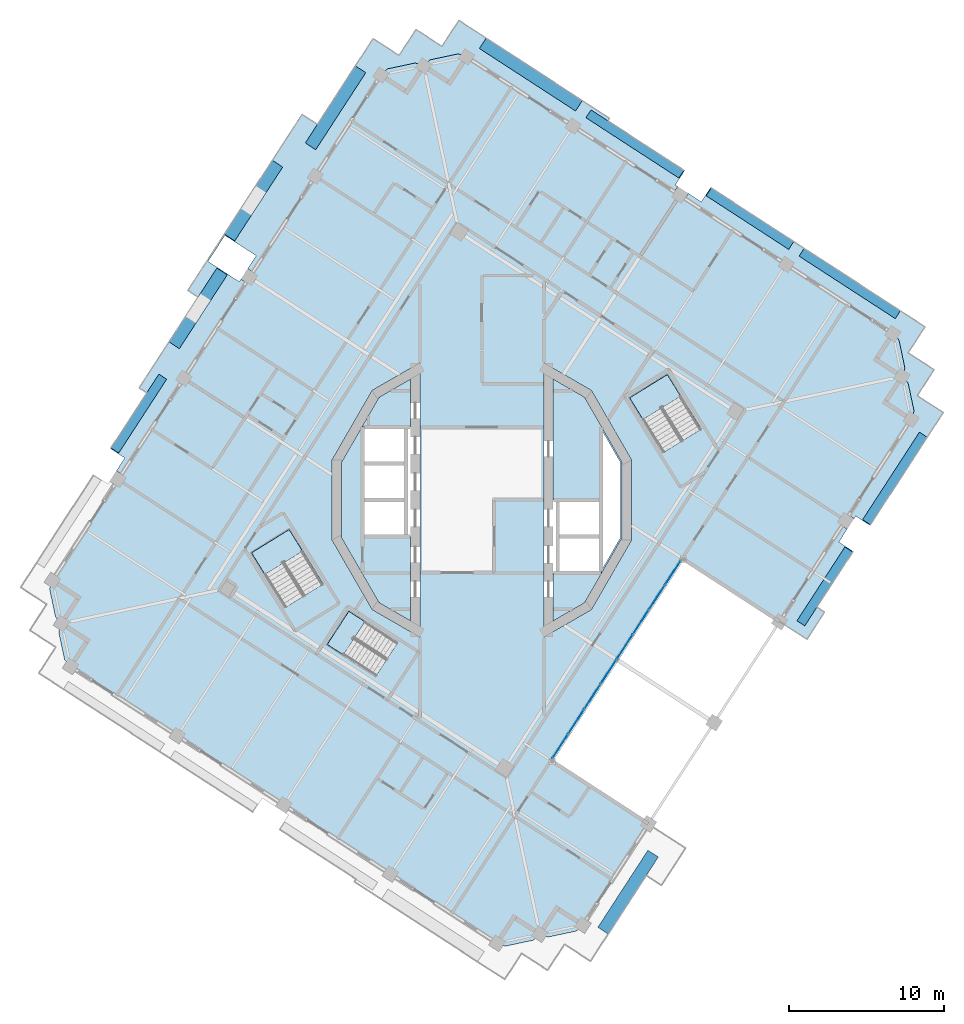
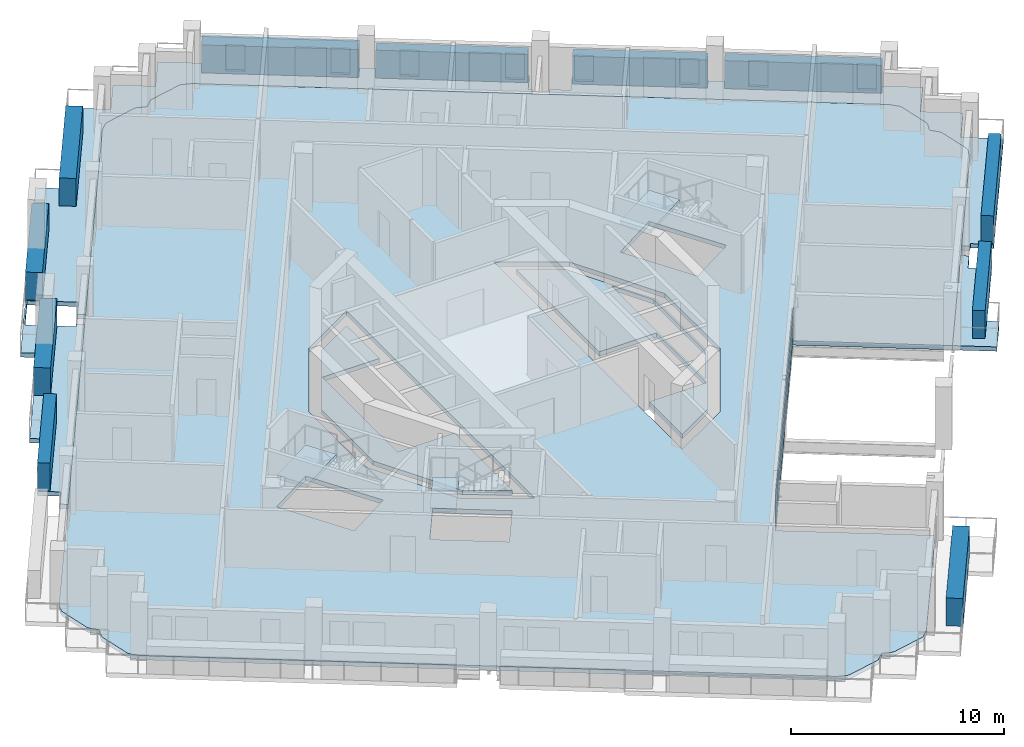
# One storey, part 4 of 17: 27 plates, 9 slabs, 4 elements without a shape of their own.
"""IFC4 building model written with IfcOpenShell, lengths in metres."""

from ifc_helpers import new_model, si_unit, direction, frame, origin, origin_2d, place, context, subcontext, project, spatial, polyline, rectangle, outline, extrude, material, layer, layer_set, type_object, element, aggregate, save


model = new_model("IFC4")

# Units and contexts
model_context = context("Model", 3, precision=1e-05, world=origin(), true_north=direction((0.0, 1.0)))
body_context = subcontext(model_context, "Body", "Model", "MODEL_VIEW")
ifc_project = project(units=[si_unit("LENGTHUNIT", "METRE"), si_unit("AREAUNIT", "SQUARE_METRE"), si_unit("VOLUMEUNIT", "CUBIC_METRE"), si_unit("PLANEANGLEUNIT", "RADIAN"), si_unit("MASSUNIT", "GRAM", prefix="KILO")], contexts=[model_context])

# Site, building, storey
site_placement = place(None, origin())
site = spatial("IfcSite", under=ifc_project, at=site_placement, CompositionType="ELEMENT")
building_placement = place(site_placement, origin())
building = spatial("IfcBuilding", under=site, at=building_placement, Name="Cantera Rosa Tower", CompositionType="ELEMENT")
storey_placement = place(building_placement, frame((0.0, 0.0, 254.10009765625)))
storey = spatial("IfcBuildingStorey", under=building, at=storey_placement, Name="L56", CompositionType="ELEMENT", Elevation=254.10009765625)

# Slabs
ifc_material_1 = material(Name="Concrete C35/45", Category="concrete")
ifc_layer_1 = layer(ifc_material_1, 0.25)
ifc_layer_set_1 = layer_set([ifc_layer_1], Name="COMPOSITE FLOOR SLAB 250 C35/45")
slab_type_1 = type_object("IfcSlabType", Name="COMPOSITE FLOOR SLAB 250 C35/45", PredefinedType="FLOOR", material=ifc_layer_set_1)
slab_1_placement = place(storey_placement, frame((0.0, 0.0, -0.25)))
element("IfcSlab", 1, at=slab_1_placement, inside=storey, type_object=slab_type_1, Name="SLAB L56 floor 1", PredefinedType="FLOOR", context=body_context, shape_type="SweptSolid", body=[
    extrude(outline(polyline([(-4.60009765625, -2.35009765625), (-4.60009765625, -7.804931640625), (-6.6318359375, -6.6318359375), (-9.059326171875, -2.427490234375), (-9.059326171875, 2.427490234375), (-6.6318359375, 6.6318359375), (-4.60009765625, 7.804931640625), (-4.60009765625, 4.699951171875), (-7.699951171875, 4.699951171875), (-7.699951171875, 2.35009765625), (-7.699951171875, 0.0), (-7.699951171875, -2.35009765625), (-4.60009765625, -2.35009765625)])), origin(), (0.0, 0.0, 1.0), 0.25),
])
slab_2_placement = place(storey_placement, frame((0.0, 0.0, -0.25)))
element("IfcSlab", 2, at=slab_2_placement, inside=storey, type_object=slab_type_1, Name="SLAB L56 floor 2", PredefinedType="FLOOR", context=body_context, shape_type="SweptSolid", body=[
    extrude(outline(polyline([(0.982421875, -28.598876953125), (0.106689453125, -28.030029296875), (-25.650146484375, -11.303466796875), (-26.52587890625, -10.734619140625), (-26.852783203125, -10.396240234375), (-26.873046875, -10.374755859375), (-26.890869140625, -10.351318359375), (-26.90625, -10.326416015625), (-26.919189453125, -10.2998046875), (-26.929443359375, -10.272216796875), (-26.93701171875, -10.243896484375), (-27.289794921875, -8.583740234375), (-27.294677734375, -8.5546875), (-27.29638671875, -8.525390625), (-27.29541015625, -8.49609375), (-27.29150390625, -8.466796875), (-27.28466796875, -8.43798828125), (-27.275146484375, -8.410400390625), (-27.114013671875, -7.968017578125), (-27.44091796875, -7.629638671875), (-27.461181640625, -7.608154296875), (-27.47900390625, -7.584716796875), (-27.494384765625, -7.559814453125), (-27.50732421875, -7.533203125), (-27.517578125, -7.505615234375), (-27.525146484375, -7.477294921875), (-27.8779296875, -5.817138671875), (-27.882568359375, -5.7880859375), (-27.884521484375, -5.7587890625), (-27.88330078125, -5.729248046875), (-27.87939453125, -5.7001953125), (-27.872802734375, -5.67138671875), (-27.863037109375, -5.643798828125), (-27.7021484375, -5.201416015625), (-27.13330078125, -4.32568359375), (-7.08447265625, 26.547119140625), (-6.515625, 27.4228515625), (-6.17724609375, 27.749755859375), (-6.15576171875, 27.769775390625), (-6.132080078125, 27.78759765625), (-6.107177734375, 27.802978515625), (-6.080810546875, 27.81591796875), (-6.05322265625, 27.826416015625), (-6.024658203125, 27.833740234375), (-4.36474609375, 28.186767578125), (-4.335693359375, 28.19140625), (-4.306396484375, 28.193115234375), (-4.27685546875, 28.192138671875), (-4.247802734375, 28.188232421875), (-4.218994140625, 28.181396484375), (-4.191162109375, 28.171875), (-3.7490234375, 28.0107421875), (-3.41064453125, 28.337890625), (-3.388916015625, 28.35791015625), (-3.365478515625, 28.375732421875), (-3.340576171875, 28.39111328125), (-3.314208984375, 28.404052734375), (-3.28662109375, 28.414306640625), (-3.258056640625, 28.421875), (-1.59814453125, 28.774658203125), (-1.569091796875, 28.779296875), (-1.539794921875, 28.78125), (-1.51025390625, 28.7802734375), (-1.481201171875, 28.7763671875), (-1.452392578125, 28.76953125), (-1.424560546875, 28.760009765625), (-0.982421875, 28.598876953125), (-0.106689453125, 28.030029296875), (25.650146484375, 11.303466796875), (26.52587890625, 10.734619140625), (26.852783203125, 10.396240234375), (26.873046875, 10.374755859375), (26.890869140625, 10.351318359375), (26.90625, 10.326416015625), (26.919189453125, 10.2998046875), (26.929443359375, 10.272216796875), (26.93701171875, 10.243896484375), (27.289794921875, 8.583740234375), (27.294677734375, 8.5546875), (27.29638671875, 8.525390625), (27.29541015625, 8.49609375), (27.29150390625, 8.466796875), (27.28466796875, 8.43798828125), (27.275146484375, 8.410400390625), (27.114013671875, 7.968017578125), (27.44091796875, 7.629638671875), (27.461181640625, 7.608154296875), (27.47900390625, 7.584716796875), (27.494384765625, 7.559814453125), (27.50732421875, 7.533203125), (27.517578125, 7.505615234375), (27.525146484375, 7.477294921875), (27.8779296875, 5.817138671875), (27.882568359375, 5.7880859375), (27.884521484375, 5.7587890625), (27.88330078125, 5.729248046875), (27.87939453125, 5.7001953125), (27.872802734375, 5.67138671875), (27.863037109375, 5.643798828125), (27.7021484375, 5.201416015625), (27.13330078125, 4.32568359375), (19.2275390625, -7.84814453125), (12.9375, -3.763427734375), (4.462890625, -16.81298828125), (10.7529296875, -20.89794921875), (7.08447265625, -26.547119140625), (6.515625, -27.4228515625), (6.17724609375, -27.749755859375), (6.15576171875, -27.769775390625), (6.132080078125, -27.78759765625), (6.107177734375, -27.802978515625), (6.080810546875, -27.81591796875), (6.05322265625, -27.826416015625), (6.024658203125, -27.833740234375), (4.36474609375, -28.186767578125), (4.335693359375, -28.19140625), (4.306396484375, -28.193115234375), (4.27685546875, -28.192138671875), (4.247802734375, -28.188232421875), (4.218994140625, -28.181396484375), (4.191162109375, -28.171875), (3.7490234375, -28.0107421875), (3.41064453125, -28.337890625), (3.388916015625, -28.35791015625), (3.365478515625, -28.375732421875), (3.340576171875, -28.39111328125), (3.314208984375, -28.404052734375), (3.28662109375, -28.414306640625), (3.258056640625, -28.421875), (1.59814453125, -28.774658203125), (1.569091796875, -28.779296875), (1.539794921875, -28.78125), (1.51025390625, -28.7802734375), (1.481201171875, -28.7763671875), (1.452392578125, -28.76953125), (1.424560546875, -28.760009765625), (0.982421875, -28.598876953125)]), holes=[polyline([(-8.581298828125, -7.1826171875), (-9.97021484375, -9.3212890625), (-6.835205078125, -11.357177734375), (-5.4462890625, -9.218505859375), (-8.581298828125, -7.1826171875)]), polyline([(-10.258544921875, -5.433349609375), (-12.430908203125, -1.911376953125), (-14.8564453125, -3.407470703125), (-12.68408203125, -6.929443359375), (-10.258544921875, -5.433349609375)]), polyline([(-9.6591796875, 2.588134765625), (-9.6591796875, -2.588134765625), (-7.071044921875, -7.071044921875), (-4.0, -8.843994140625), (-4.0, 8.843994140625), (-7.071044921875, 7.071044921875), (-9.6591796875, 2.588134765625)]), polyline([(9.6591796875, -2.588134765625), (9.6591796875, 2.588134765625), (7.071044921875, 7.071044921875), (4.0, 8.843994140625), (4.0, -8.843994140625), (7.071044921875, -7.071044921875), (9.6591796875, -2.588134765625)]), polyline([(14.1416015625, 4.566650390625), (11.96923828125, 8.088623046875), (9.54345703125, 6.592529296875), (11.7158203125, 3.070556640625), (14.1416015625, 4.566650390625)])]), origin(), (0.0, 0.0, 1.0), 0.25),
])
slab_3_placement = place(storey_placement, frame((0.0, 0.0, -0.25)))
element("IfcSlab", 3, at=slab_3_placement, inside=storey, type_object=slab_type_1, Name="SLAB L56 floor 3", PredefinedType="FLOOR", context=body_context, shape_type="SweptSolid", body=[
    extrude(outline(polyline([(7.699951171875, 0.0), (4.60009765625, 0.0), (4.60009765625, 7.804931640625), (6.6318359375, 6.6318359375), (9.059326171875, 2.427490234375), (9.059326171875, -2.427490234375), (6.6318359375, -6.6318359375), (4.60009765625, -7.804931640625), (4.60009765625, -4.699951171875), (7.699951171875, -4.699951171875), (7.699951171875, -2.35009765625), (7.699951171875, 0.0)]), holes=[polyline([(7.800048828125, 4.408447265625), (7.800048828125, 2.449951171875), (7.800048828125, 2.25), (7.800048828125, -2.25), (7.800048828125, -2.449951171875), (7.800048828125, -4.408447265625), (8.959228515625, -2.400634765625), (8.959228515625, 2.400634765625), (7.800048828125, 4.408447265625)])]), origin(), (0.0, 0.0, 1.0), 0.25),
])

# Curtain wall, plates
ifc_material_2 = material(Name="Aluminium frame with clear glass", Category="aluminium")
curtain_wall_type = type_object("IfcCurtainWallType", Name="CW1 TERRACE POCKET GLAZING", PredefinedType="NOTDEFINED", material=ifc_material_2)
curtain_wall_placement = place(storey_placement, origin())
curtain_wall = element("IfcCurtainWall", 4, at=curtain_wall_placement, inside=storey, type_object=curtain_wall_type, Name="CW1 CW1", PredefinedType="NOTDEFINED")
ifc_material_3 = material(Name="Aluminium frame with clear glass", Category="aluminium")
ifc_layer_2 = layer(ifc_material_3, 0.028076171875)
ifc_layer_set_2 = layer_set([ifc_layer_2], Name="CW-PANEL POCKET")
plate_type_1 = type_object("IfcPlateType", Name="CW-PANEL POCKET", PredefinedType="CURTAIN_PANEL", material=ifc_layer_set_2)
plate_1_placement = place(storey_placement, frame((5.060302734375, -15.893310546875, 0.06005859375), z_axis=(0.0, 0.0, 1.0), x_axis=(0.544639034986, 0.838670567964, 0.0)))
plate_1 = element("IfcPlate", 5, at=plate_1_placement, type_object=plate_type_1, Name="CW1 panel 1.1", PredefinedType="CURTAIN_PANEL", context=body_context, shape_type="SweptSolid", body=[
    extrude(rectangle(XDim=1.82373046875, YDim=0.028076171875, at=origin_2d()), origin(), (0.0, 0.0, 1.0), 0.94091796875),
])
plate_2_placement = place(storey_placement, frame((5.060302734375, -15.893310546875, 1.06103515625), z_axis=(0.0, 0.0, 1.0), x_axis=(0.544639034986, 0.838670567964, 0.0)))
plate_2 = element("IfcPlate", 6, at=plate_2_placement, type_object=plate_type_1, Name="CW1 panel 1.2", PredefinedType="CURTAIN_PANEL", context=body_context, shape_type="SweptSolid", body=[
    extrude(rectangle(XDim=1.82373046875, YDim=0.028076171875, at=origin_2d()), origin(), (0.0, 0.0, 1.0), 0.94091796875),
])
plate_3_placement = place(storey_placement, frame((6.094482421875, -14.30078125, 0.06005859375), z_axis=(0.0, 0.0, 1.0), x_axis=(0.544639034986, 0.838670567964, 0.0)))
plate_3 = element("IfcPlate", 7, at=plate_3_placement, type_object=plate_type_1, Name="CW1 panel 2.1", PredefinedType="CURTAIN_PANEL", context=body_context, shape_type="SweptSolid", body=[
    extrude(rectangle(XDim=1.853759765625, YDim=0.028076171875, at=origin_2d()), origin(), (0.0, 0.0, 1.0), 0.94091796875),
])
plate_4_placement = place(storey_placement, frame((6.094482421875, -14.30078125, 1.06103515625), z_axis=(0.0, 0.0, 1.0), x_axis=(0.544639034986, 0.838670567964, 0.0)))
plate_4 = element("IfcPlate", 8, at=plate_4_placement, type_object=plate_type_1, Name="CW1 panel 2.2", PredefinedType="CURTAIN_PANEL", context=body_context, shape_type="SweptSolid", body=[
    extrude(rectangle(XDim=1.853759765625, YDim=0.028076171875, at=origin_2d()), origin(), (0.0, 0.0, 1.0), 0.94091796875),
])
plate_5_placement = place(storey_placement, frame((7.13671875, -12.69580078125, 0.06005859375), z_axis=(0.0, 0.0, 1.0), x_axis=(0.544639034986, 0.838670567964, 0.0)))
plate_5 = element("IfcPlate", 9, at=plate_5_placement, type_object=plate_type_1, Name="CW1 panel 3.1", PredefinedType="CURTAIN_PANEL", context=body_context, shape_type="SweptSolid", body=[
    extrude(rectangle(XDim=1.853759765625, YDim=0.028076171875, at=origin_2d()), origin(), (0.0, 0.0, 1.0), 0.94091796875),
])
plate_6_placement = place(storey_placement, frame((7.13671875, -12.69580078125, 1.06103515625), z_axis=(0.0, 0.0, 1.0), x_axis=(0.544639034986, 0.838670567964, 0.0)))
plate_6 = element("IfcPlate", 10, at=plate_6_placement, type_object=plate_type_1, Name="CW1 panel 3.2", PredefinedType="CURTAIN_PANEL", context=body_context, shape_type="SweptSolid", body=[
    extrude(rectangle(XDim=1.853759765625, YDim=0.028076171875, at=origin_2d()), origin(), (0.0, 0.0, 1.0), 0.94091796875),
])
plate_7_placement = place(storey_placement, frame((8.178955078125, -11.0908203125, 0.06005859375), z_axis=(0.0, 0.0, 1.0), x_axis=(0.544639034986, 0.838670567964, 0.0)))
plate_7 = element("IfcPlate", 11, at=plate_7_placement, type_object=plate_type_1, Name="CW1 panel 4.1", PredefinedType="CURTAIN_PANEL", context=body_context, shape_type="SweptSolid", body=[
    extrude(rectangle(XDim=1.853759765625, YDim=0.028076171875, at=origin_2d()), origin(), (0.0, 0.0, 1.0), 0.94091796875),
])
plate_8_placement = place(storey_placement, frame((8.178955078125, -11.0908203125, 1.06103515625), z_axis=(0.0, 0.0, 1.0), x_axis=(0.544639034986, 0.838670567964, 0.0)))
plate_8 = element("IfcPlate", 12, at=plate_8_placement, type_object=plate_type_1, Name="CW1 panel 4.2", PredefinedType="CURTAIN_PANEL", context=body_context, shape_type="SweptSolid", body=[
    extrude(rectangle(XDim=1.853759765625, YDim=0.028076171875, at=origin_2d()), origin(), (0.0, 0.0, 1.0), 0.94091796875),
])
plate_9_placement = place(storey_placement, frame((9.221435546875, -9.48583984375, 0.06005859375), z_axis=(0.0, 0.0, 1.0), x_axis=(0.544639034986, 0.838670567964, 0.0)))
plate_9 = element("IfcPlate", 13, at=plate_9_placement, type_object=plate_type_1, Name="CW1 panel 5.1", PredefinedType="CURTAIN_PANEL", context=body_context, shape_type="SweptSolid", body=[
    extrude(rectangle(XDim=1.853759765625, YDim=0.028076171875, at=origin_2d()), origin(), (0.0, 0.0, 1.0), 0.94091796875),
])
plate_10_placement = place(storey_placement, frame((9.221435546875, -9.48583984375, 1.06103515625), z_axis=(0.0, 0.0, 1.0), x_axis=(0.544639034986, 0.838670567964, 0.0)))
plate_10 = element("IfcPlate", 14, at=plate_10_placement, type_object=plate_type_1, Name="CW1 panel 5.2", PredefinedType="CURTAIN_PANEL", context=body_context, shape_type="SweptSolid", body=[
    extrude(rectangle(XDim=1.853759765625, YDim=0.028076171875, at=origin_2d()), origin(), (0.0, 0.0, 1.0), 0.94091796875),
])
plate_11_placement = place(storey_placement, frame((10.263671875, -7.880859375, 0.06005859375), z_axis=(0.0, 0.0, 1.0), x_axis=(0.544639034986, 0.838670567964, 0.0)))
plate_11 = element("IfcPlate", 15, at=plate_11_placement, type_object=plate_type_1, Name="CW1 panel 6.1", PredefinedType="CURTAIN_PANEL", context=body_context, shape_type="SweptSolid", body=[
    extrude(rectangle(XDim=1.853759765625, YDim=0.028076171875, at=origin_2d()), origin(), (0.0, 0.0, 1.0), 0.94091796875),
])
plate_12_placement = place(storey_placement, frame((10.263671875, -7.880859375, 1.06103515625), z_axis=(0.0, 0.0, 1.0), x_axis=(0.544639034986, 0.838670567964, 0.0)))
plate_12 = element("IfcPlate", 16, at=plate_12_placement, type_object=plate_type_1, Name="CW1 panel 6.2", PredefinedType="CURTAIN_PANEL", context=body_context, shape_type="SweptSolid", body=[
    extrude(rectangle(XDim=1.853759765625, YDim=0.028076171875, at=origin_2d()), origin(), (0.0, 0.0, 1.0), 0.94091796875),
])
plate_13_placement = place(storey_placement, frame((11.305908203125, -6.27587890625, 0.06005859375), z_axis=(0.0, 0.0, 1.0), x_axis=(0.544639034986, 0.838670567964, 0.0)))
plate_13 = element("IfcPlate", 17, at=plate_13_placement, type_object=plate_type_1, Name="CW1 panel 7.1", PredefinedType="CURTAIN_PANEL", context=body_context, shape_type="SweptSolid", body=[
    extrude(rectangle(XDim=1.853759765625, YDim=0.028076171875, at=origin_2d()), origin(), (0.0, 0.0, 1.0), 0.94091796875),
])
plate_14_placement = place(storey_placement, frame((11.305908203125, -6.27587890625, 1.06103515625), z_axis=(0.0, 0.0, 1.0), x_axis=(0.544639034986, 0.838670567964, 0.0)))
plate_14 = element("IfcPlate", 18, at=plate_14_placement, type_object=plate_type_1, Name="CW1 panel 7.2", PredefinedType="CURTAIN_PANEL", context=body_context, shape_type="SweptSolid", body=[
    extrude(rectangle(XDim=1.853759765625, YDim=0.028076171875, at=origin_2d()), origin(), (0.0, 0.0, 1.0), 0.94091796875),
])
plate_15_placement = place(storey_placement, frame((12.340087890625, -4.683349609375, 0.06005859375), z_axis=(0.0, 0.0, 1.0), x_axis=(0.544639034986, 0.838670567964, 0.0)))
plate_15 = element("IfcPlate", 19, at=plate_15_placement, type_object=plate_type_1, Name="CW1 panel 8.1", PredefinedType="CURTAIN_PANEL", context=body_context, shape_type="SweptSolid", body=[
    extrude(rectangle(XDim=1.82373046875, YDim=0.028076171875, at=origin_2d()), origin(), (0.0, 0.0, 1.0), 0.94091796875),
])
plate_16_placement = place(storey_placement, frame((12.340087890625, -4.683349609375, 1.06103515625), z_axis=(0.0, 0.0, 1.0), x_axis=(0.544639034986, 0.838670567964, 0.0)))
plate_16 = element("IfcPlate", 20, at=plate_16_placement, type_object=plate_type_1, Name="CW1 panel 8.2", PredefinedType="CURTAIN_PANEL", context=body_context, shape_type="SweptSolid", body=[
    extrude(rectangle(XDim=1.82373046875, YDim=0.028076171875, at=origin_2d()), origin(), (0.0, 0.0, 1.0), 0.94091796875),
])
aggregate(curtain_wall, [plate_1, plate_2, plate_3, plate_4, plate_5, plate_6, plate_7, plate_8, plate_9, plate_10, plate_11, plate_12, plate_13, plate_14, plate_15, plate_16])

# Slabs
ifc_material_4 = material(Name="Concrete C35/45", Category="concrete")
ifc_layer_3 = layer(ifc_material_4, 0.25)
ifc_layer_set_3 = layer_set([ifc_layer_3], Name="LOGGIA SLAB 250 C35/45")
slab_type_2 = type_object("IfcSlabType", Name="LOGGIA SLAB 250 C35/45", PredefinedType="FLOOR", material=ifc_layer_set_3)
slab_4_placement = place(storey_placement, frame((0.0, 0.0, -0.25)))
element("IfcSlab", 21, at=slab_4_placement, inside=storey, type_object=slab_type_2, Name="LOGGIA SLAB L56 2", PredefinedType="FLOOR", context=body_context, shape_type="SweptSolid", body=[
    extrude(outline(polyline([(-18.31005859375, 13.0966796875), (-18.97216796875, 13.526611328125), (-11.599365234375, 24.8798828125), (-10.61083984375, 24.238037109375), (-7.94140625, 28.3486328125), (-7.015380859375, 29.7744140625), (-5.58984375, 28.848388671875), (-5.338134765625, 28.68505859375), (-5.1748046875, 28.936767578125), (-4.248779296875, 30.362548828125), (-2.822998046875, 29.4365234375), (-2.571533203125, 29.273193359375), (-2.408203125, 29.52490234375), (-1.482421875, 30.950439453125), (-0.056396484375, 30.024658203125), (8.246337890625, 24.6328125), (8.137451171875, 24.465087890625), (12.330810546875, 21.74169921875), (13.08544921875, 21.251708984375), (12.486328125, 20.3291015625), (12.654296875, 20.22021484375), (12.436279296875, 19.884765625), (-0.106689453125, 28.030029296875), (-0.982421875, 28.598876953125), (-1.424560546875, 28.760009765625), (-1.452392578125, 28.76953125), (-1.481201171875, 28.7763671875), (-1.51025390625, 28.7802734375), (-1.539794921875, 28.78125), (-1.569091796875, 28.779296875), (-1.59814453125, 28.774658203125), (-3.258056640625, 28.421875), (-3.28662109375, 28.414306640625), (-3.314208984375, 28.404052734375), (-3.340576171875, 28.39111328125), (-3.365478515625, 28.375732421875), (-3.388916015625, 28.35791015625), (-3.41064453125, 28.337890625), (-3.7490234375, 28.0107421875), (-4.191162109375, 28.171875), (-4.218994140625, 28.181396484375), (-4.247802734375, 28.188232421875), (-4.27685546875, 28.192138671875), (-4.306396484375, 28.193115234375), (-4.335693359375, 28.19140625), (-4.36474609375, 28.186767578125), (-6.024658203125, 27.833740234375), (-6.05322265625, 27.826416015625), (-6.080810546875, 27.81591796875), (-6.107177734375, 27.802978515625), (-6.132080078125, 27.78759765625), (-6.15576171875, 27.769775390625), (-6.17724609375, 27.749755859375), (-6.515625, 27.4228515625), (-7.08447265625, 26.547119140625), (-14.7724609375, 14.70849609375), (-15.10791015625, 14.926513671875), (-14.563232421875, 15.76513671875), (-16.575927734375, 17.072265625), (-17.665283203125, 15.39501953125), (-15.652587890625, 14.087646484375), (-15.543701171875, 14.255615234375), (-15.2080078125, 14.03759765625), (-23.2470703125, 1.65869140625), (-23.58251953125, 1.876708984375), (-23.037841796875, 2.71533203125), (-23.9619140625, 3.3154296875), (-21.625, 6.9140625), (-22.117431640625, 7.23388671875), (-18.31005859375, 13.0966796875)])), origin(), (0.0, 0.0, 1.0), 0.25),
])
slab_5_placement = place(storey_placement, frame((0.0, 0.0, -0.25)))
element("IfcSlab", 22, at=slab_5_placement, inside=storey, type_object=slab_type_2, Name="LOGGIA SLAB L56 4", PredefinedType="FLOOR", context=body_context, shape_type="SweptSolid", body=[
    extrude(outline(polyline([(23.2470703125, -1.65869140625), (23.58251953125, -1.876708984375), (23.037841796875, -2.71533203125), (23.9619140625, -3.3154296875), (21.625, -6.9140625), (22.117431640625, -7.23388671875), (20.9794921875, -8.986083984375), (19.2275390625, -7.84814453125), (23.2470703125, -1.65869140625)])), origin(), (0.0, 0.0, 1.0), 0.25),
])
slab_6_placement = place(storey_placement, frame((0.0, 0.0, -0.25)))
element("IfcSlab", 23, at=slab_6_placement, inside=storey, type_object=slab_type_2, Name="LOGGIA SLAB L56 5", PredefinedType="FLOOR", context=body_context, shape_type="SweptSolid", body=[
    extrude(outline(polyline([(21.723876953125, 15.641845703125), (27.343017578125, 11.992919921875), (28.600830078125, 11.17578125), (27.783935546875, 9.917724609375), (27.51171875, 9.49853515625), (27.930908203125, 9.22607421875), (29.18896484375, 8.4091796875), (28.3720703125, 7.151123046875), (28.099609375, 6.731689453125), (28.51904296875, 6.45947265625), (29.777099609375, 5.642578125), (28.960205078125, 4.384521484375), (25.540771484375, -0.880859375), (25.542236328125, -0.8818359375), (25.051025390625, -1.63818359375), (24.127197265625, -1.0380859375), (24.01806640625, -1.205810546875), (23.6826171875, -0.98779296875), (27.13330078125, 4.32568359375), (27.7021484375, 5.201416015625), (27.863037109375, 5.643798828125), (27.872802734375, 5.67138671875), (27.87939453125, 5.7001953125), (27.88330078125, 5.729248046875), (27.884521484375, 5.7587890625), (27.882568359375, 5.7880859375), (27.8779296875, 5.817138671875), (27.525146484375, 7.477294921875), (27.517578125, 7.505615234375), (27.50732421875, 7.533203125), (27.494384765625, 7.559814453125), (27.47900390625, 7.584716796875), (27.461181640625, 7.608154296875), (27.44091796875, 7.629638671875), (27.114013671875, 7.968017578125), (27.275146484375, 8.410400390625), (27.28466796875, 8.43798828125), (27.29150390625, 8.466796875), (27.29541015625, 8.49609375), (27.29638671875, 8.525390625), (27.294677734375, 8.5546875), (27.289794921875, 8.583740234375), (26.93701171875, 10.243896484375), (26.929443359375, 10.272216796875), (26.919189453125, 10.2998046875), (26.90625, 10.326416015625), (26.890869140625, 10.351318359375), (26.873046875, 10.374755859375), (26.852783203125, 10.396240234375), (26.52587890625, 10.734619140625), (25.650146484375, 11.303466796875), (13.107421875, 19.448974609375), (13.3251953125, 19.784423828125), (14.163818359375, 19.23974609375), (14.762939453125, 20.162353515625), (14.8466796875, 20.10791015625), (19.207763671875, 17.275634765625), (21.723876953125, 15.641845703125)])), origin(), (0.0, 0.0, 1.0), 0.25),
])

# Plates
ifc_material_5 = material(Name="Cantera stone planter with soil", Category="masonry")
plate_type_2 = type_object("IfcPlateType", Name="PLANTER 600", PredefinedType="USERDEFINED", material=ifc_material_5)
plate_17_placement = place(storey_placement, frame((23.740966796875, 13.97412109375, -0.000244140625), z_axis=(0.0, 0.0, 1.0), x_axis=(-0.838670567945, 0.544639035015, 0.0)))
element("IfcPlate", 24, at=plate_17_placement, inside=storey, type_object=plate_type_2, Name="PLANTER L56-01", ObjectType="PLANTER", PredefinedType="USERDEFINED", context=body_context, shape_type="SweptSolid", body=[
    extrude(rectangle(XDim=7.39990234375, YDim=0.60009765625, at=origin_2d()), origin(), (0.0, 0.0, 1.0), 1.60009765625),
])
plate_18_placement = place(storey_placement, frame((17.30419921875, 18.154296875, -0.000244140625), z_axis=(0.0, 0.0, 1.0), x_axis=(-0.838670567945, 0.544639035015, 0.0)))
element("IfcPlate", 25, at=plate_18_placement, inside=storey, type_object=plate_type_2, Name="PLANTER L56-02", ObjectType="PLANTER", PredefinedType="USERDEFINED", context=body_context, shape_type="SweptSolid", body=[
    extrude(rectangle(XDim=6.35009765625, YDim=0.60009765625, at=origin_2d()), origin(), (0.0, 0.0, 1.0), 1.60009765625),
])
plate_19_placement = place(storey_placement, frame((9.882080078125, 22.974365234375, -0.000244140625), z_axis=(0.0, 0.0, 1.0), x_axis=(-0.838670567945, 0.544639035015, 0.0)))
element("IfcPlate", 26, at=plate_19_placement, inside=storey, type_object=plate_type_2, Name="PLANTER L56-03", ObjectType="PLANTER", PredefinedType="USERDEFINED", context=body_context, shape_type="SweptSolid", body=[
    extrude(rectangle(XDim=7.14990234375, YDim=0.60009765625, at=origin_2d()), origin(), (0.0, 0.0, 1.0), 1.60009765625),
])
for number, where, z_axis, x_axis, name in (
    (27, (-22.13623046875, 5.57568359375, -0.000244140625), (0.0, 0.0, 1.0), (-0.544639035015, -0.838670567945, 0.0), "PLANTER L56-08"),
    (28, (22.13623046875, -5.57568359375, -0.000244140625), (0.0, 0.0, 1.0), (0.544639035015, 0.838670567945, 0.0), "PLANTER L56-17"),
):
    element("IfcPlate", number, at=place(storey_placement, frame(where, z_axis=z_axis, x_axis=x_axis)), inside=storey, type_object=plate_type_2, Name=name, ObjectType="PLANTER", PredefinedType="USERDEFINED", context=body_context, shape_type="SweptSolid", body=[
        extrude(rectangle(XDim=5.679931640625, YDim=0.60009765625, at=origin_2d()), origin(), (0.0, 0.0, 1.0), 1.60009765625),
    ])
plate_20_placement = place(storey_placement, frame((26.657958984375, 1.390380859375, -0.000244140625), z_axis=(0.0, 0.0, 1.0), x_axis=(0.544639035015, 0.838670567945, 0.0)))
element("IfcPlate", 29, at=plate_20_placement, inside=storey, type_object=plate_type_2, Name="PLANTER L56-18", ObjectType="PLANTER", PredefinedType="USERDEFINED", context=body_context, shape_type="SweptSolid", body=[
    extrude(rectangle(XDim=6.72998046875, YDim=0.60009765625, at=origin_2d()), origin(), (0.0, 0.0, 1.0), 1.60009765625),
])
ifc_material_6 = material(Name="Cantera stone planter with soil", Category="masonry")
plate_type_3 = type_object("IfcPlateType", Name="PLANTER 800", PredefinedType="USERDEFINED", material=ifc_material_6)
plate_21_placement = place(storey_placement, frame((3.1640625, 27.4560546875, -0.000244140625), z_axis=(0.0, 0.0, 1.0), x_axis=(-0.838670567945, 0.544639035015, 0.0)))
element("IfcPlate", 30, at=plate_21_placement, inside=storey, type_object=plate_type_3, Name="PLANTER L56-04", ObjectType="PLANTER", PredefinedType="USERDEFINED", context=body_context, shape_type="SweptSolid", body=[
    extrude(rectangle(XDim=7.39990234375, YDim=0.800048828125, at=origin_2d()), origin(), (0.0, 0.0, 1.0), 1.60009765625),
])
plate_22_placement = place(storey_placement, frame((-9.438720703125, 25.30859375, -0.000244140625), z_axis=(0.0, 0.0, 1.0), x_axis=(-0.544639035015, -0.838670567945, 0.0)))
element("IfcPlate", 31, at=plate_22_placement, inside=storey, type_object=plate_type_3, Name="PLANTER L56-05", ObjectType="PLANTER", PredefinedType="USERDEFINED", context=body_context, shape_type="SweptSolid", body=[
    extrude(rectangle(XDim=5.929931640625, YDim=0.800048828125, at=origin_2d()), origin(), (0.0, 0.0, 1.0), 1.60009765625),
])
for number, where, z_axis, x_axis, name in (
    (32, (-14.732421875, 19.32080078125, -0.000244140625), (0.0, 0.0, 1.0), (-0.544639035015, -0.838670567945, 0.0), "PLANTER L56-06"),
    (33, (-18.3076171875, 12.365966796875, -0.000244140625), (0.0, 0.0, 1.0), (-0.544639035015, -0.838670567945, 0.0), "PLANTER L56-07"),
):
    element("IfcPlate", number, at=place(storey_placement, frame(where, z_axis=z_axis, x_axis=x_axis)), inside=storey, type_object=plate_type_3, Name=name, ObjectType="PLANTER", PredefinedType="USERDEFINED", context=body_context, shape_type="SweptSolid", body=[
        extrude(rectangle(XDim=5.679931640625, YDim=0.800048828125, at=origin_2d()), origin(), (0.0, 0.0, 1.0), 1.60009765625),
    ])
plate_23_placement = place(storey_placement, frame((9.438720703125, -25.30859375, -0.000244140625), z_axis=(0.0, 0.0, 1.0), x_axis=(0.544639035015, 0.838670567945, 0.0)))
element("IfcPlate", 34, at=plate_23_placement, inside=storey, type_object=plate_type_3, Name="PLANTER L56-14", ObjectType="PLANTER", PredefinedType="USERDEFINED", context=body_context, shape_type="SweptSolid", body=[
    extrude(rectangle(XDim=5.929931640625, YDim=0.800048828125, at=origin_2d()), origin(), (0.0, 0.0, 1.0), 1.60009765625),
])

# Stair, slab
ifc_material_7 = material(Name="Concrete C35/45", Category="concrete")
stair_type_1 = type_object("IfcStairType", Name="EXIT STAIR 1350 DOGLEG", PredefinedType="HALF_TURN_STAIR", material=ifc_material_7)
stair_1_placement = place(storey_placement, origin())
stair_1 = element("IfcStair", 35, at=stair_1_placement, inside=storey, type_object=stair_type_1, Name="L56 ST-51", PredefinedType="HALF_TURN_STAIR")
ifc_material_8 = material(Name="Concrete C35/45", Category="concrete")
ifc_layer_4 = layer(ifc_material_8, 0.199951171875)
ifc_layer_set_4 = layer_set([ifc_layer_4], Name="STAIR LANDING 200")
slab_type_3 = type_object("IfcSlabType", Name="STAIR LANDING 200", PredefinedType="LANDING", material=ifc_layer_set_4)
slab_7_placement = place(storey_placement, frame((0.0, 0.0, 1.599853515625)))
slab_7 = element("IfcSlab", 36, at=slab_7_placement, type_object=slab_type_3, Name="ST-51 landing 1", PredefinedType="LANDING", context=body_context, shape_type="SweptSolid", body=[
    extrude(outline(polyline([(12.8310546875, 6.691162109375), (11.96923828125, 8.088623046875), (9.54345703125, 6.592529296875), (10.405517578125, 5.19482421875), (12.8310546875, 6.691162109375)])), origin(), (0.0, 0.0, 1.0), 0.199951171875),
])
aggregate(stair_1, [slab_7])

stair_2_placement = place(storey_placement, origin())
stair_2 = element("IfcStair", 37, at=stair_2_placement, inside=storey, type_object=stair_type_1, Name="L56 ST-52", PredefinedType="HALF_TURN_STAIR")
slab_8_placement = place(storey_placement, frame((0.0, 0.0, 1.599853515625)))
slab_8 = element("IfcSlab", 38, at=slab_8_placement, type_object=slab_type_3, Name="ST-52 landing 1", PredefinedType="LANDING", context=body_context, shape_type="SweptSolid", body=[
    extrude(outline(polyline([(-11.56884765625, -3.308837890625), (-12.430908203125, -1.911376953125), (-14.8564453125, -3.407470703125), (-13.99462890625, -4.80517578125), (-11.56884765625, -3.308837890625)])), origin(), (0.0, 0.0, 1.0), 0.199951171875),
])
aggregate(stair_2, [slab_8])

ifc_material_9 = material(Name="Concrete C35/45", Category="concrete")
stair_type_2 = type_object("IfcStairType", Name="EXIT STAIR 1200 DOGLEG", PredefinedType="HALF_TURN_STAIR", material=ifc_material_9)
stair_3_placement = place(storey_placement, origin())
stair_3 = element("IfcStair", 39, at=stair_3_placement, inside=storey, type_object=stair_type_2, Name="L56 ST-53", PredefinedType="HALF_TURN_STAIR")
slab_9_placement = place(storey_placement, frame((0.0, 0.0, 1.599853515625)))
slab_9 = element("IfcSlab", 40, at=slab_9_placement, type_object=slab_type_3, Name="ST-53 landing 1", PredefinedType="LANDING", context=body_context, shape_type="SweptSolid", body=[
    extrude(outline(polyline([(-7.53955078125, -7.859130859375), (-8.581298828125, -7.1826171875), (-9.97021484375, -9.3212890625), (-8.928466796875, -9.997802734375), (-7.53955078125, -7.859130859375)])), origin(), (0.0, 0.0, 1.0), 0.199951171875),
])
aggregate(stair_3, [slab_9])

save(model, "model.ifc")
